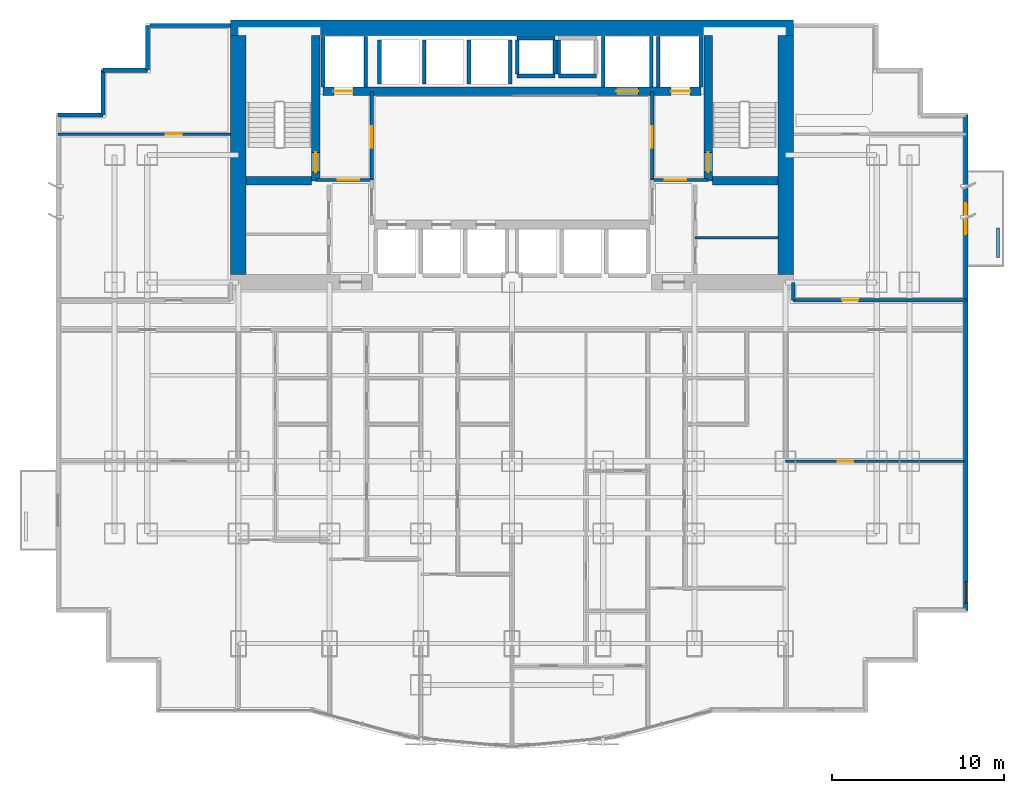
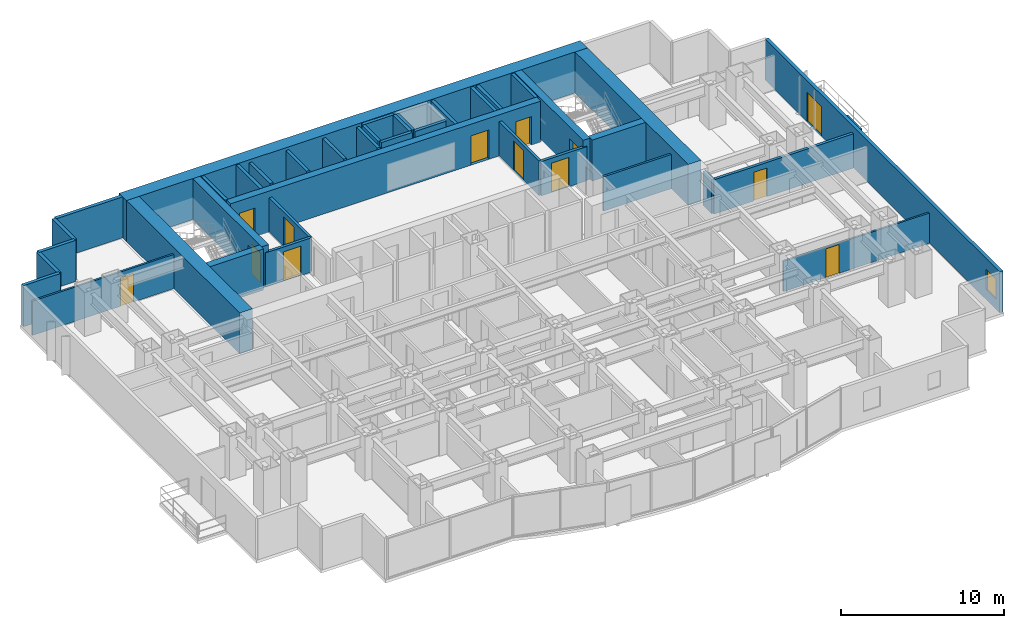
# One storey, part 7 of 10: 40 walls, 13 doors, 1 window, 14 openings.
"""IFC4 building model written with IfcOpenShell, lengths in metres."""

import ifcopenshell
import ifcopenshell.guid

model = None  # the IFC model being written
_history = None  # IfcOwnerHistory: only IFC2X3 demands one
_inside = {}  # id of a spatial element -> (the spatial element, [elements in it])
_under = {}  # id of a project, library or spatial element -> (it, [spatial elements below it])
_declared = {}  # id of a project -> (the project, [libraries it declares])
_typed = {}  # id of a type object -> (the type object, [elements of that type])
_made_of = {}  # id of a material, layer set ... -> (it, [elements and type objects made of it])


def new_model(schema):
    """Start an empty IFC model of exactly this schema.

    Asked for "IFC4X3", IfcOpenShell would pick the latest addendum, in which some entities
    have other attributes; the version numbers below select the first issue.
    IFC2X3 requires an IfcOwnerHistory on every rooted entity: one is made here for all.
    """
    global model, _history
    if schema == "IFC4X3":
        model = ifcopenshell.file(schema_version=(4, 3, 0, 0))
    else:
        model = ifcopenshell.file(schema=schema)
    _inside.clear()
    _under.clear()
    _declared.clear()
    _typed.clear()
    _made_of.clear()
    _history = None
    if model.schema == "IFC2X3":
        org = make("IfcOrganization", Name="unknown")
        user = make(
            "IfcPersonAndOrganization",
            ThePerson=make("IfcPerson", FamilyName="unknown"),
            TheOrganization=org,
        )
        app = make(
            "IfcApplication",
            ApplicationDeveloper=org,
            Version="unknown",
            ApplicationFullName="unknown",
            ApplicationIdentifier="unknown",
        )
        _history = make(
            "IfcOwnerHistory",
            OwningUser=user,
            OwningApplication=app,
            ChangeAction="ADDED",
            CreationDate=0,
        )
    return model


def make(cls, **values):
    """One entity of the class cls with the attributes given. An attribute that is None is left unset."""
    return model.create_entity(
        cls, **{name: value for name, value in values.items() if value is not None}
    )


def rooted(cls, **values):
    """An entity with a GlobalId (a new one), such as an element, a storey or a relation."""
    return make(cls, GlobalId=ifcopenshell.guid.new(), OwnerHistory=_history, **values)


def si_unit(unit_type, name, prefix=None):
    """IfcSIUnit, for example si_unit("LENGTHUNIT", "METRE", prefix="MILLI")."""
    return make("IfcSIUnit", UnitType=unit_type, Prefix=prefix, Name=name)


def assignment(units):
    """IfcUnitAssignment: the units of a project."""
    return None if units is None else make("IfcUnitAssignment", Units=units)


def point(xyz):
    """IfcCartesianPoint."""
    return None if xyz is None else make("IfcCartesianPoint", Coordinates=xyz)


def direction(xyz):
    """IfcDirection."""
    return None if xyz is None else make("IfcDirection", DirectionRatios=xyz)


def frame(location, z_axis=None, x_axis=None):
    """IfcAxis2Placement3D, a coordinate frame: its origin and axes. An axis left out is left unset."""
    return make(
        "IfcAxis2Placement3D",
        Location=point(location),
        Axis=direction(z_axis),
        RefDirection=direction(x_axis),
    )


def frame_2d(location, x_axis=None):
    """IfcAxis2Placement2D, a coordinate frame in the plane: its origin and x axis."""
    return make(
        "IfcAxis2Placement2D", Location=point(location), RefDirection=direction(x_axis)
    )


def origin():
    """The frame at (0, 0, 0) with its axes left unset."""
    return frame((0.0, 0.0, 0.0))


def place(relative_to, where):
    """IfcLocalPlacement: puts the frame where relative to a parent placement (None: the world)."""
    return make(
        "IfcLocalPlacement", PlacementRelTo=relative_to, RelativePlacement=where
    )


def context(
    kind, dimensions, precision=None, world=None, true_north=None, identifier=None
):
    """IfcGeometricRepresentationContext, for example the 3D "Model" context."""
    return make(
        "IfcGeometricRepresentationContext",
        ContextIdentifier=identifier,
        ContextType=kind,
        CoordinateSpaceDimension=dimensions,
        Precision=precision,
        WorldCoordinateSystem=world,
        TrueNorth=true_north,
    )


def subcontext(parent, identifier, kind, view, scale=None):
    """IfcGeometricRepresentationSubContext, for example "Body" below "Model"."""
    return make(
        "IfcGeometricRepresentationSubContext",
        ContextIdentifier=identifier,
        ContextType=kind,
        ParentContext=parent,
        TargetScale=scale,
        TargetView=view,
    )


def project(units=None, contexts=None):
    """IfcProject with its units and contexts."""
    return rooted(
        "IfcProject",
        Name="project",
        RepresentationContexts=contexts,
        UnitsInContext=assignment(units),
    )


def spatial(cls, under=None, at=None, **own):
    """A site, building, storey or space (cls), placed at a placement, below another one or the project."""
    s = rooted(cls, ObjectPlacement=at, **own)
    if under is not None:
        _under.setdefault(under.id(), (under, []))[1].append(s)
    return s


def profile(cls, at=None, kind="AREA", **sizes):
    """A parametric profile (cls). Its sizes go by their IFC names, for example OverallWidth=200.0."""
    return make(cls, ProfileType=kind, Position=at, **sizes)


def rectangle(**sizes):
    """IfcRectangleProfileDef."""
    return profile("IfcRectangleProfileDef", **sizes)


def extrude(swept, where, along, depth):
    """IfcExtrudedAreaSolid: the profile swept, set in the frame where, extruded along a direction by depth."""
    return make(
        "IfcExtrudedAreaSolid",
        SweptArea=swept,
        Position=where,
        ExtrudedDirection=direction(along),
        Depth=depth,
    )


def shape(context_of_items, identifier, shape_type, items):
    """IfcShapeRepresentation: the items that make up one representation, for example the "Body"."""
    return make(
        "IfcShapeRepresentation",
        ContextOfItems=context_of_items,
        RepresentationIdentifier=identifier,
        RepresentationType=shape_type,
        Items=items,
    )


def material(Name=None, Category=None):
    """IfcMaterial."""
    return make("IfcMaterial", Name=Name, Category=Category)


def layer(
    of_material, thickness, ventilated=None, Name=None, Category=None, Priority=None
):
    """IfcMaterialLayer: one layer of a wall or slab, of a material (None: an air gap)."""
    return make(
        "IfcMaterialLayer",
        Material=of_material,
        LayerThickness=thickness,
        IsVentilated=ventilated,
        Name=Name,
        Category=Category,
        Priority=Priority,
    )


def layer_set(layers, Name=None):
    """IfcMaterialLayerSet."""
    return make("IfcMaterialLayerSet", MaterialLayers=layers, LayerSetName=Name)


def made_of(thing, what):
    """Note that an element or type object is made of a material, layer set ...; save() writes the relation."""
    if what is not None:
        _made_of.setdefault(what.id(), (what, []))[1].append(thing)
    return thing


def type_object(cls, material=None, **own):
    """A type object (cls), such as IfcWallType, which elements share."""
    return made_of(rooted(cls, **own), material)


def element(
    cls,
    number,
    at=None,
    inside=None,
    cuts=None,
    type_object=None,
    material=None,
    context=None,
    identifier="Body",
    shape_type=None,
    held_by="IfcProductDefinitionShape",
    body=None,
    shapes=None,
    **own,
):
    """One element of the class cls, such as IfcWall. Its Tag is "e" and its number.

    at: its placement. inside: the storey or other place that contains it. cuts: it is an
    opening in that element (IfcRelVoidsElement). A single representation is given by context,
    identifier, shape_type and body (its items); several are given by shapes. held_by: the class
    of the entity that holds the representations. save() writes the other relations.
    """
    e = rooted(cls, Tag="e%d" % number, ObjectPlacement=at, **own)
    if body is not None:
        shapes = [shape(context, identifier, shape_type, body)]
    if shapes is not None:
        e.Representation = make(held_by, Representations=shapes)
    if inside is not None:
        _inside.setdefault(inside.id(), (inside, []))[1].append(e)
    if cuts is not None:
        rooted(
            "IfcRelVoidsElement", RelatingBuildingElement=cuts, RelatedOpeningElement=e
        )
    if type_object is not None:
        _typed.setdefault(type_object.id(), (type_object, []))[1].append(e)
    return made_of(e, material)


def fill(opening, filler):
    """IfcRelFillsElement: the door or window that sits in an opening."""
    return rooted(
        "IfcRelFillsElement",
        RelatingOpeningElement=opening,
        RelatedBuildingElement=filler,
    )


def aggregate(whole, parts):
    """IfcRelAggregates: a whole, such as a stair, and the parts it consists of."""
    return rooted("IfcRelAggregates", RelatingObject=whole, RelatedObjects=parts)


def save(model, path):
    """Write the relations noted so far, then the file.

    IfcRelAggregates (storeys below a building ...), IfcRelContainedInSpatialStructure (elements
    in a storey), IfcRelDefinesByType, IfcRelAssociatesMaterial and IfcRelDeclares: one each for
    every whole, place, type object, material and project.
    """
    for whole, parts in _under.values():
        aggregate(whole, parts)
    for where, things in _inside.values():
        rooted(
            "IfcRelContainedInSpatialStructure",
            RelatedElements=things,
            RelatingStructure=where,
        )
    for kind, things in _typed.values():
        rooted("IfcRelDefinesByType", RelatedObjects=things, RelatingType=kind)
    for what, things in _made_of.values():
        rooted("IfcRelAssociatesMaterial", RelatedObjects=things, RelatingMaterial=what)
    for by, libraries in _declared.values():
        rooted("IfcRelDeclares", RelatingContext=by, RelatedDefinitions=libraries)
    model.write(path)


model = new_model("IFC4")

# Units and contexts
model_context = context("Model", 3, precision=1e-05, world=origin(), true_north=direction((0.0, 1.0)))
body_context = subcontext(model_context, "Body", "Model", "MODEL_VIEW")
ifc_project = project(units=[si_unit("LENGTHUNIT", "METRE"), si_unit("AREAUNIT", "SQUARE_METRE"), si_unit("VOLUMEUNIT", "CUBIC_METRE"), si_unit("PLANEANGLEUNIT", "RADIAN"), si_unit("MASSUNIT", "GRAM", prefix="KILO")], contexts=[model_context])

# Site, building, storey
site_placement = place(None, origin())
site = spatial("IfcSite", under=ifc_project, at=site_placement, CompositionType="ELEMENT")
building_placement = place(site_placement, origin())
building = spatial("IfcBuilding", under=site, at=building_placement, Name="Qianlan Lanfeng Residences", CompositionType="ELEMENT")
storey_placement = place(building_placement, frame((0.0, 0.0, 40.699951171875)))
storey = spatial("IfcBuildingStorey", under=building, at=storey_placement, Name="L10", CompositionType="ELEMENT", Elevation=40.699951171875)

# Wall, opening, door
ifc_material_1 = material(Name="Concrete C70", Category="concrete")
ifc_layer_1 = layer(ifc_material_1, 0.5)
ifc_layer_set_1 = layer_set([ifc_layer_1], Name="Concrete C70")
wall_type_1 = type_object("IfcWallType", Name="CW-RC-500", PredefinedType="SHEAR", material=ifc_layer_set_1)
wall_1_placement = place(storey_placement, frame((15.10009765625, 31.10009765625, 0.0), z_axis=(0.0, 0.0, 1.0), x_axis=(0.0, 1.0, 0.0)))
wall_1 = element("IfcWall", 1, at=wall_1_placement, inside=storey, type_object=wall_type_1, Name="L10 Core Shear Wall ST1E", PredefinedType="SHEAR", context=body_context, shape_type="SweptSolid", body=[
    extrude(rectangle(XDim=8.449951171875, YDim=0.5, at=frame_2d((4.22509765625, 0.0))), origin(), (0.0, 0.0, 1.0), 3.080078125),
])
opening_1_placement = place(wall_1_placement, frame((0.510009765625, 0.0, 0.0)))
opening_1 = element("IfcOpeningElement", 2, at=opening_1_placement, cuts=wall_1, Name="Opening L10-D07", PredefinedType="OPENING", context=body_context, shape_type="SweptSolid", body=[
    extrude(rectangle(XDim=1.14990234375, YDim=2.199951171875, at=frame_2d((0.574951171875, 1.10009765625))), frame((0.0, 0.260009765625, 0.0), z_axis=(0.0, -1.0, 0.0), x_axis=(1.0, 0.0, 0.0)), (0.0, 0.0, 1.0), 0.52001953125),
])
ifc_material_2 = material(Name="Painted Galvanised Steel Fire Door", Category="steel")
door_type_1 = type_object("IfcDoorType", Name="DT-ST1", OperationType="NOTDEFINED", PredefinedType="DOOR", material=ifc_material_2)
door_1_placement = place(opening_1_placement, frame((1.14990234375, 0.0, 0.0), z_axis=(0.0, 0.0, 1.0), x_axis=(-1.0, 0.0, 0.0)))
door_1 = element("IfcDoor", 3, at=door_1_placement, inside=storey, type_object=door_type_1, Name="L10 Exit Stair ST-1 Door L10-D07 (DT-ST1)", OperationType="SINGLE_SWING_RIGHT", OverallHeight=2.199951171875, OverallWidth=1.14990234375, PredefinedType="DOOR", context=body_context, shape_type="SweptSolid", body=[
    extrude(rectangle(XDim=1.14990234375, YDim=2.199951171875, at=frame_2d((0.574951171875, 1.10009765625))), frame((0.0, 0.02490234375, 0.0), z_axis=(0.0, -1.0, 0.0), x_axis=(1.0, 0.0, 0.0)), (0.0, 0.0, 1.0), 0.050048828125),
])
fill(opening_1, door_1)

# Wall
wall_2_placement = place(storey_placement, frame((11.050048828125, 31.10009765625, 0.0), z_axis=(0.0, 0.0, 1.0), x_axis=(1.0, 0.0, 0.0)))
element("IfcWall", 4, at=wall_2_placement, inside=storey, type_object=wall_type_1, Name="L10 Core Shear Wall ST1S", PredefinedType="SHEAR", context=body_context, shape_type="SweptSolid", body=[
    extrude(rectangle(XDim=3.800048828125, YDim=0.5, at=frame_2d((1.89990234375, 0.0))), origin(), (0.0, 0.0, 1.0), 3.080078125),
])

# Wall, opening, door
wall_3_placement = place(storey_placement, frame((37.89990234375, 31.10009765625, 0.0), z_axis=(0.0, 0.0, 1.0), x_axis=(0.0, 1.0, 0.0)))
wall_3 = element("IfcWall", 5, at=wall_3_placement, inside=storey, type_object=wall_type_1, Name="L10 Core Shear Wall ST2W", PredefinedType="SHEAR", context=body_context, shape_type="SweptSolid", body=[
    extrude(rectangle(XDim=8.449951171875, YDim=0.5, at=frame_2d((4.22509765625, 0.0))), origin(), (0.0, 0.0, 1.0), 3.080078125),
])
opening_2_placement = place(wall_3_placement, frame((0.510009765625, 0.0, 0.0)))
opening_2 = element("IfcOpeningElement", 6, at=opening_2_placement, cuts=wall_3, Name="Opening L10-D08", PredefinedType="OPENING", context=body_context, shape_type="SweptSolid", body=[
    extrude(rectangle(XDim=1.14990234375, YDim=2.199951171875, at=frame_2d((0.574951171875, 1.10009765625))), frame((0.0, 0.260009765625, 0.0), z_axis=(0.0, -1.0, 0.0), x_axis=(1.0, 0.0, 0.0)), (0.0, 0.0, 1.0), 0.52001953125),
])
door_2_placement = place(opening_2_placement, origin())
door_2 = element("IfcDoor", 7, at=door_2_placement, inside=storey, type_object=door_type_1, Name="L10 Exit Stair ST-2 Door L10-D08 (DT-ST1)", OperationType="SINGLE_SWING_RIGHT", OverallHeight=2.199951171875, OverallWidth=1.14990234375, PredefinedType="DOOR", context=body_context, shape_type="SweptSolid", body=[
    extrude(rectangle(XDim=1.14990234375, YDim=2.199951171875, at=frame_2d((0.574951171875, 1.10009765625))), frame((0.0, 0.02490234375, 0.0), z_axis=(0.0, -1.0, 0.0), x_axis=(1.0, 0.0, 0.0)), (0.0, 0.0, 1.0), 0.050048828125),
])
fill(opening_2, door_2)

# Wall
wall_4_placement = place(storey_placement, frame((38.14990234375, 31.10009765625, 0.0), z_axis=(0.0, 0.0, 1.0), x_axis=(1.0, 0.0, 0.0)))
element("IfcWall", 8, at=wall_4_placement, inside=storey, type_object=wall_type_1, Name="L10 Core Shear Wall ST2S", PredefinedType="SHEAR", context=body_context, shape_type="SweptSolid", body=[
    extrude(rectangle(XDim=3.800048828125, YDim=0.5, at=frame_2d((1.89990234375, 0.0))), origin(), (0.0, 0.0, 1.0), 3.080078125),
])

# Wall, openings, doors
wall_5_placement = place(storey_placement, frame((15.5, 36.300048828125, 0.0), z_axis=(0.0, 0.0, 1.0), x_axis=(1.0, 0.0, 0.0)))
wall_5 = element("IfcWall", 9, at=wall_5_placement, inside=storey, type_object=wall_type_1, Name="L10 Core Shear Wall LBN", PredefinedType="SHEAR", context=body_context, shape_type="SweptSolid", body=[
    extrude(rectangle(XDim=22.0, YDim=0.5, at=frame_2d((11.0, 0.0))), origin(), (0.0, 0.0, 1.0), 3.080078125),
])
opening_3_placement = place(wall_5_placement, frame((0.64990234375, 0.0, 0.0)))
opening_3 = element("IfcOpeningElement", 10, at=opening_3_placement, cuts=wall_5, Name="Opening L10-LD-FFL-1", PredefinedType="OPENING", context=body_context, shape_type="SweptSolid", body=[
    extrude(rectangle(XDim=1.10009765625, YDim=2.14990234375, at=frame_2d((0.550048828125, 1.074951171875))), frame((0.0, 0.260009765625, 0.0), z_axis=(0.0, -1.0, 0.0), x_axis=(1.0, 0.0, 0.0)), (0.0, 0.0, 1.0), 0.52001953125),
])
opening_4_placement = place(wall_5_placement, frame((20.25, 0.0, 0.0)))
opening_4 = element("IfcOpeningElement", 11, at=opening_4_placement, cuts=wall_5, Name="Opening L10-LD-FFL-2", PredefinedType="OPENING", context=body_context, shape_type="SweptSolid", body=[
    extrude(rectangle(XDim=1.10009765625, YDim=2.14990234375, at=frame_2d((0.550048828125, 1.074951171875))), frame((0.0, 0.260009765625, 0.0), z_axis=(0.0, -1.0, 0.0), x_axis=(1.0, 0.0, 0.0)), (0.0, 0.0, 1.0), 0.52001953125),
])
opening_5_placement = place(wall_5_placement, frame((17.050048828125, 0.0, 0.0)))
opening_5 = element("IfcOpeningElement", 12, at=opening_5_placement, cuts=wall_5, Name="Opening L10-LD-SVL-1", PredefinedType="OPENING", context=body_context, shape_type="SweptSolid", body=[
    extrude(rectangle(XDim=1.300048828125, YDim=2.199951171875, at=frame_2d((0.64990234375, 1.10009765625))), frame((0.0, 0.260009765625, 0.0), z_axis=(0.0, -1.0, 0.0), x_axis=(1.0, 0.0, 0.0)), (0.0, 0.0, 1.0), 0.52001953125),
])
ifc_material_3 = material(Name="Brushed Stainless Steel Sliding Lift Door", Category="steel")
door_type_2 = type_object("IfcDoorType", Name="LD-01", OperationType="NOTDEFINED", PredefinedType="DOOR", material=ifc_material_3)
door_3_placement = place(opening_3_placement, frame((1.10009765625, 0.0, 0.0), z_axis=(0.0, 0.0, 1.0), x_axis=(-1.0, 0.0, 0.0)))
door_3 = element("IfcDoor", 13, at=door_3_placement, inside=storey, type_object=door_type_2, Name="L10 Elevator FFL-1 Sliding Landing Door", OperationType="DOUBLE_DOOR_SLIDING", OverallHeight=2.14990234375, OverallWidth=1.10009765625, PredefinedType="DOOR", context=body_context, shape_type="SweptSolid", body=[
    extrude(rectangle(XDim=1.10009765625, YDim=2.14990234375, at=frame_2d((0.550048828125, 1.074951171875))), frame((0.0, 0.02490234375, 0.0), z_axis=(0.0, -1.0, 0.0), x_axis=(1.0, 0.0, 0.0)), (0.0, 0.0, 1.0), 0.050048828125),
])
fill(opening_3, door_3)
door_4_placement = place(opening_4_placement, frame((1.10009765625, 0.0, 0.0), z_axis=(0.0, 0.0, 1.0), x_axis=(-1.0, 0.0, 0.0)))
door_4 = element("IfcDoor", 14, at=door_4_placement, inside=storey, type_object=door_type_2, Name="L10 Elevator FFL-2 Sliding Landing Door", OperationType="DOUBLE_DOOR_SLIDING", OverallHeight=2.14990234375, OverallWidth=1.10009765625, PredefinedType="DOOR", context=body_context, shape_type="SweptSolid", body=[
    extrude(rectangle(XDim=1.10009765625, YDim=2.14990234375, at=frame_2d((0.550048828125, 1.074951171875))), frame((0.0, 0.02490234375, 0.0), z_axis=(0.0, -1.0, 0.0), x_axis=(1.0, 0.0, 0.0)), (0.0, 0.0, 1.0), 0.050048828125),
])
fill(opening_4, door_4)
door_type_3 = type_object("IfcDoorType", Name="LD-02", OperationType="NOTDEFINED", PredefinedType="DOOR", material=ifc_material_3)
door_5_placement = place(opening_5_placement, frame((1.300048828125, 0.0, 0.0), z_axis=(0.0, 0.0, 1.0), x_axis=(-1.0, 0.0, 0.0)))
door_5 = element("IfcDoor", 15, at=door_5_placement, inside=storey, type_object=door_type_3, Name="L10 Elevator SVL-1 Sliding Landing Door", OperationType="DOUBLE_DOOR_SLIDING", OverallHeight=2.199951171875, OverallWidth=1.300048828125, PredefinedType="DOOR", context=body_context, shape_type="SweptSolid", body=[
    extrude(rectangle(XDim=1.300048828125, YDim=2.199951171875, at=frame_2d((0.64990234375, 1.10009765625))), frame((0.0, 0.02490234375, 0.0), z_axis=(0.0, -1.0, 0.0), x_axis=(1.0, 0.0, 0.0)), (0.0, 0.0, 1.0), 0.050048828125),
])
fill(opening_5, door_5)

# Walls
ifc_layer_2 = layer(ifc_material_1, 0.89990234375)
ifc_layer_set_2 = layer_set([ifc_layer_2], Name="Concrete C70")
wall_type_2 = type_object("IfcWallType", Name="CW-RC-900", PredefinedType="SHEAR", material=ifc_layer_set_2)
wall_6_placement = place(storey_placement, frame((10.14990234375, 40.0, 0.0), z_axis=(0.0, 0.0, 1.0), x_axis=(1.0, 0.0, 0.0)))
element("IfcWall", 16, at=wall_6_placement, inside=storey, type_object=wall_type_2, Name="L10 Core Shear Wall N", PredefinedType="SHEAR", context=body_context, shape_type="SweptSolid", body=[
    extrude(rectangle(XDim=32.7001953125, YDim=0.89990234375, at=frame_2d((16.35009765625, 0.0))), origin(), (0.0, 0.0, 1.0), 3.080078125),
])
for number, where, z_axis, x_axis, name in (
    (17, (10.60009765625, 25.64990234375, 0.0), (0.0, 0.0, 1.0), (0.0, 1.0, 0.0), "L10 Core Shear Wall W"),
    (18, (42.39990234375, 25.64990234375, 0.0), (0.0, 0.0, 1.0), (0.0, 1.0, 0.0), "L10 Core Shear Wall E"),
):
    element("IfcWall", number, at=place(storey_placement, frame(where, z_axis=z_axis, x_axis=x_axis)), inside=storey, type_object=wall_type_2, Name=name, PredefinedType="SHEAR", context=body_context, shape_type="SweptSolid", body=[
        extrude(rectangle(XDim=13.900146484375, YDim=0.89990234375, at=frame_2d((6.9501953125, 0.0))), origin(), (0.0, 0.0, 1.0), 3.080078125),
    ])

# Wall, openings, door, window
ifc_material_4 = material(Name="Concrete C42", Category="concrete")
ifc_layer_3 = layer(ifc_material_4, 0.239990234375)
ifc_layer_set_3 = layer_set([ifc_layer_3], Name="Concrete C42")
wall_type_3 = type_object("IfcWallType", Name="EW-240", PredefinedType="SOLIDWALL", material=ifc_layer_set_3)
wall_7_placement = place(storey_placement, frame((52.8798828125, 6.1201171875, 0.0), z_axis=(0.0, 0.0, 1.0), x_axis=(0.0, 1.0, 0.0)))
wall_7 = element("IfcWall", 19, at=wall_7_placement, inside=storey, type_object=wall_type_3, Name="L10 Terrace/Balcony Access Exterior Wall 10", PredefinedType="SOLIDWALL", context=body_context, shape_type="SweptSolid", body=[
    extrude(rectangle(XDim=28.809814453125, YDim=0.239990234375, at=frame_2d((14.40478515625, 0.0))), origin(), (0.0, 0.0, 1.0), 3.080078125),
])
opening_6_placement = place(wall_7_placement, frame((21.8798828125, 0.0, 0.0)))
opening_6 = element("IfcOpeningElement", 20, at=opening_6_placement, cuts=wall_7, Name="Opening L10-D-EB-N", PredefinedType="OPENING", context=body_context, shape_type="SweptSolid", body=[
    extrude(rectangle(XDim=1.800048828125, YDim=2.199951171875, at=frame_2d((0.89990234375, 1.10009765625))), frame((0.0, 0.1298828125, 0.0), z_axis=(0.0, -1.0, 0.0), x_axis=(1.0, 0.0, 0.0)), (0.0, 0.0, 1.0), 0.260009765625),
])
opening_7_placement = place(wall_7_placement, frame((0.449951171875, 0.0, 0.75)))
opening_7 = element("IfcOpeningElement", 21, at=opening_7_placement, cuts=wall_7, Name="Opening W-03", PredefinedType="OPENING", context=body_context, shape_type="SweptSolid", body=[
    extrude(rectangle(XDim=1.199951171875, YDim=1.5, at=frame_2d((0.60009765625, 0.75))), frame((0.0, 0.1298828125, 0.0), z_axis=(0.0, -1.0, 0.0), x_axis=(1.0, 0.0, 0.0)), (0.0, 0.0, 1.0), 0.260009765625),
])
ifc_material_5 = material(Name="Anodised Bronze Aluminium Framed Glass", Category="aluminium")
door_type_4 = type_object("IfcDoorType", Name="DT-BAL1", OperationType="NOTDEFINED", PredefinedType="DOOR", material=ifc_material_5)
door_6_placement = place(opening_6_placement, frame((1.800048828125, 0.0, 0.0), z_axis=(0.0, 0.0, 1.0), x_axis=(-1.0, 0.0, 0.0)))
door_6 = element("IfcDoor", 22, at=door_6_placement, inside=storey, type_object=door_type_4, Name="L10 Exterior Access Door EB-N", OperationType="DOUBLE_DOOR_SLIDING", OverallHeight=2.199951171875, OverallWidth=1.800048828125, PredefinedType="DOOR", context=body_context, shape_type="SweptSolid", body=[
    extrude(rectangle(XDim=1.800048828125, YDim=2.199951171875, at=frame_2d((0.89990234375, 1.10009765625))), frame((0.0, 0.02490234375, 0.0), z_axis=(0.0, -1.0, 0.0), x_axis=(1.0, 0.0, 0.0)), (0.0, 0.0, 1.0), 0.050048828125),
])
fill(opening_6, door_6)
ifc_material_6 = material(Name="Anodised Bronze Aluminium Framed Double Glazing", Category="aluminium")
window_type = type_object("IfcWindowType", Name="W-03", PartitioningType="SINGLE_PANEL", PredefinedType="WINDOW", material=ifc_material_6)
window_placement = place(opening_7_placement, origin())
window = element("IfcWindow", 23, at=window_placement, inside=storey, type_object=window_type, Name="L10 Exterior Window W-03", OverallHeight=1.5, OverallWidth=1.199951171875, PartitioningType="SINGLE_PANEL", PredefinedType="WINDOW", context=body_context, shape_type="SweptSolid", body=[
    extrude(rectangle(XDim=1.199951171875, YDim=1.5, at=frame_2d((0.60009765625, 0.75))), frame((0.0, 0.030029296875, 0.0), z_axis=(0.0, -1.0, 0.0), x_axis=(1.0, 0.0, 0.0)), (0.0, 0.0, 1.0), 0.06005859375),
])
fill(opening_7, window)

# Walls
wall_8_placement = place(storey_placement, frame((10.14990234375, 40.1298828125, 0.0), z_axis=(0.0, 0.0, 1.0), x_axis=(-1.0, 0.0, 0.0)))
element("IfcWall", 24, at=wall_8_placement, inside=storey, type_object=wall_type_3, Name="L10 North Wing Exterior Wall W", PredefinedType="SOLIDWALL", context=body_context, shape_type="SweptSolid", body=[
    extrude(rectangle(XDim=4.699951171875, YDim=0.239990234375, at=frame_2d((2.35009765625, 0.0))), origin(), (0.0, 0.0, 1.0), 3.080078125),
])
wall_9_placement = place(storey_placement, frame((5.320068359375, 40.1298828125, 0.0), z_axis=(0.0, 0.0, 1.0), x_axis=(0.0, -1.0, 0.0)))
element("IfcWall", 25, at=wall_9_placement, inside=storey, type_object=wall_type_3, Name="L10 Exterior Facade Spandrel Wall 17", PredefinedType="SOLIDWALL", context=body_context, shape_type="SweptSolid", body=[
    extrude(rectangle(XDim=2.599853515625, YDim=0.239990234375, at=frame_2d((1.2998046875, 0.0))), origin(), (0.0, 0.0, 1.0), 3.080078125),
])
for number, where, z_axis, x_axis, name in (
    (26, (5.320068359375, 37.530029296875, 0.0), (0.0, 0.0, 1.0), (-1.0, 0.0, 0.0), "L10 Exterior Facade Spandrel Wall 18"),
    (27, (2.719970703125, 37.530029296875, 0.0), (0.0, 0.0, 1.0), (0.0, -1.0, 0.0), "L10 Exterior Facade Spandrel Wall 19"),
):
    element("IfcWall", number, at=place(storey_placement, frame(where, z_axis=z_axis, x_axis=x_axis)), inside=storey, type_object=wall_type_3, Name=name, PredefinedType="SOLIDWALL", context=body_context, shape_type="SweptSolid", body=[
        extrude(rectangle(XDim=2.60009765625, YDim=0.239990234375, at=frame_2d((1.300048828125, 0.0))), origin(), (0.0, 0.0, 1.0), 3.080078125),
    ])
wall_10_placement = place(storey_placement, frame((2.719970703125, 34.929931640625, 0.0), z_axis=(0.0, 0.0, 1.0), x_axis=(-1.0, 0.0, 0.0)))
element("IfcWall", 28, at=wall_10_placement, inside=storey, type_object=wall_type_3, Name="L10 Exterior Facade Spandrel Wall 20", PredefinedType="SOLIDWALL", context=body_context, shape_type="SweptSolid", body=[
    extrude(rectangle(XDim=2.599853515625, YDim=0.239990234375, at=frame_2d((1.2998046875, 0.0))), origin(), (0.0, 0.0, 1.0), 3.080078125),
])
ifc_layer_4 = layer(ifc_material_4, 0.199951171875)
ifc_layer_set_4 = layer_set([ifc_layer_4], Name="Concrete C42")
wall_type_4 = type_object("IfcWallType", Name="PL-TREE-200", PredefinedType="PARAPET", material=ifc_layer_set_4)
wall_11_placement = place(storey_placement, frame((54.75, 26.64990234375, 0.0), z_axis=(0.0, 0.0, 1.0), x_axis=(0.0, 1.0, 0.0)))
element("IfcWall", 29, at=wall_11_placement, inside=storey, type_object=wall_type_4, Name="L10 East Tree Planter Curb EB-N", PredefinedType="PARAPET", context=body_context, shape_type="SweptSolid", body=[
    extrude(rectangle(XDim=1.7001953125, YDim=0.199951171875, at=frame_2d((0.85009765625, 0.0))), origin(), (0.0, 0.0, 1.0), 0.650146484375),
])

# Wall, opening, door
ifc_material_7 = material(Name="Moisture-Resistant Gypsum Partition 135 mm")
ifc_layer_5 = layer(ifc_material_7, 0.135009765625)
ifc_layer_set_5 = layer_set([ifc_layer_5], Name="Moisture-Resistant Gypsum Partition 135 mm")
wall_type_5 = type_object("IfcWallType", Name="PW-135", PredefinedType="PARTITIONING", material=ifc_layer_set_5)
wall_12_placement = place(storey_placement, frame((42.39990234375, 14.800048828125, 0.0), z_axis=(0.0, 0.0, 1.0), x_axis=(1.0, 0.0, 0.0)))
wall_12 = element("IfcWall", 30, at=wall_12_placement, inside=storey, type_object=wall_type_5, Name="L10 SEP Mid Partition", PredefinedType="PARTITIONING", context=body_context, shape_type="SweptSolid", body=[
    extrude(rectangle(XDim=10.380126953125, YDim=0.135009765625, at=frame_2d((5.18994140625, 0.0))), origin(), (0.0, 0.0, 1.0), 2.275146484375),
])
opening_8_placement = place(wall_12_placement, frame((3.030029296875, 0.0, 0.0)))
opening_8 = element("IfcOpeningElement", 31, at=opening_8_placement, cuts=wall_12, Name="Opening L10-D42", PredefinedType="OPENING", context=body_context, shape_type="SweptSolid", body=[
    extrude(rectangle(XDim=0.919921875, YDim=2.14990234375, at=frame_2d((0.4599609375, 1.074951171875))), frame((0.0, 0.07763671875, 0.0), z_axis=(0.0, -1.0, 0.0), x_axis=(1.0, 0.0, 0.0)), (0.0, 0.0, 1.0), 0.155029296875),
])
ifc_material_8 = material(Name="Glazed Timber Kitchen/Study Door", Category="wood")
door_type_5 = type_object("IfcDoorType", Name="DT-INT", OperationType="NOTDEFINED", PredefinedType="DOOR", material=ifc_material_8)
door_7_placement = place(opening_8_placement, origin())
door_7 = element("IfcDoor", 32, at=door_7_placement, inside=storey, type_object=door_type_5, Name="L10 SEP Inner Door L10-D42 (DT-INT)", OperationType="SINGLE_SWING_LEFT", OverallHeight=2.14990234375, OverallWidth=0.919921875, PredefinedType="DOOR", context=body_context, shape_type="SweptSolid", body=[
    extrude(rectangle(XDim=0.919921875, YDim=2.14990234375, at=frame_2d((0.4599609375, 1.074951171875))), frame((0.0, 0.02490234375, 0.0), z_axis=(0.0, -1.0, 0.0), x_axis=(1.0, 0.0, 0.0)), (0.0, 0.0, 1.0), 0.050048828125),
])
fill(opening_8, door_7)

wall_13_placement = place(storey_placement, frame((0.1201171875, 33.800048828125, 0.0), z_axis=(0.0, 0.0, 1.0), x_axis=(1.0, 0.0, 0.0)))
wall_13 = element("IfcWall", 33, at=wall_13_placement, inside=storey, type_object=wall_type_5, Name="L10 WW North Wing Wall", PredefinedType="PARTITIONING", context=body_context, shape_type="SweptSolid", body=[
    extrude(rectangle(XDim=10.02978515625, YDim=0.135009765625, at=frame_2d((5.014892578125, 0.0))), origin(), (0.0, 0.0, 1.0), 2.570068359375),
])
opening_9_placement = place(wall_13_placement, frame((6.2548828125, 0.0, 0.0)))
opening_9 = element("IfcOpeningElement", 34, at=opening_9_placement, cuts=wall_13, Name="Opening L10-D44", PredefinedType="OPENING", context=body_context, shape_type="SweptSolid", body=[
    extrude(rectangle(XDim=0.919921875, YDim=2.14990234375, at=frame_2d((0.4599609375, 1.074951171875))), frame((0.0, 0.07763671875, 0.0), z_axis=(0.0, -1.0, 0.0), x_axis=(1.0, 0.0, 0.0)), (0.0, 0.0, 1.0), 0.155029296875),
])
door_8_placement = place(opening_9_placement, origin())
door_8 = element("IfcDoor", 35, at=door_8_placement, inside=storey, type_object=door_type_5, Name="L10 WW Inner Salon Door L10-D44 (DT-INT)", OperationType="SINGLE_SWING_LEFT", OverallHeight=2.14990234375, OverallWidth=0.919921875, PredefinedType="DOOR", context=body_context, shape_type="SweptSolid", body=[
    extrude(rectangle(XDim=0.919921875, YDim=2.14990234375, at=frame_2d((0.4599609375, 1.074951171875))), frame((0.0, 0.02490234375, 0.0), z_axis=(0.0, -1.0, 0.0), x_axis=(1.0, 0.0, 0.0)), (0.0, 0.0, 1.0), 0.050048828125),
])
fill(opening_9, door_8)

# Wall
ifc_material_9 = material(Name="Acoustic Drywall Partition 150 mm")
ifc_layer_6 = layer(ifc_material_9, 0.14990234375)
ifc_layer_set_6 = layer_set([ifc_layer_6], Name="Acoustic Drywall Partition 150 mm")
wall_type_6 = type_object("IfcWallType", Name="PW-150", PredefinedType="PARTITIONING", material=ifc_layer_set_6)
wall_14_placement = place(storey_placement, frame((37.14990234375, 27.800048828125, 0.0), z_axis=(0.0, 0.0, 1.0), x_axis=(1.0, 0.0, 0.0)))
element("IfcWall", 36, at=wall_14_placement, inside=storey, type_object=wall_type_6, Name="L10 Core East Split", PredefinedType="PARTITIONING", context=body_context, shape_type="SweptSolid", body=[
    extrude(rectangle(XDim=4.800048828125, YDim=0.14990234375, at=frame_2d((2.39990234375, 0.0))), origin(), (0.0, 0.0, 1.0), 2.570068359375),
])

# Wall, opening, door
ifc_material_10 = material(Name="Autoclaved Aerated Concrete Blockwork 200 mm", Category="masonry")
ifc_layer_7 = layer(ifc_material_10, 0.199951171875)
ifc_layer_set_7 = layer_set([ifc_layer_7], Name="Autoclaved Aerated Concrete Blockwork 200 mm")
wall_type_7 = type_object("IfcWallType", Name="PW-200", PredefinedType="PARTITIONING", material=ifc_layer_set_7)
wall_15_placement = place(storey_placement, frame((15.10009765625, 31.14990234375, 0.0), z_axis=(0.0, 0.0, 1.0), x_axis=(1.0, 0.0, 0.0)))
wall_15 = element("IfcWall", 37, at=wall_15_placement, inside=storey, type_object=wall_type_7, Name="L10 Firefighting Lobby 1 South Wall", PredefinedType="PARTITIONING", context=body_context, shape_type="SweptSolid", body=[
    extrude(rectangle(XDim=3.25, YDim=0.199951171875, at=frame_2d((1.625, 0.0))), origin(), (0.0, 0.0, 1.0), 2.570068359375),
])
opening_10_placement = place(wall_15_placement, frame((1.27490234375, 0.0, 0.0)))
opening_10 = element("IfcOpeningElement", 38, at=opening_10_placement, cuts=wall_15, Name="Opening L10-D03", PredefinedType="OPENING", context=body_context, shape_type="SweptSolid", body=[
    extrude(rectangle(XDim=1.25, YDim=2.199951171875, at=frame_2d((0.625, 1.10009765625))), frame((0.0, 0.10986328125, 0.0), z_axis=(0.0, -1.0, 0.0), x_axis=(1.0, 0.0, 0.0)), (0.0, 0.0, 1.0), 0.219970703125),
])
door_type_6 = type_object("IfcDoorType", Name="DT-FFL", OperationType="NOTDEFINED", PredefinedType="DOOR", material=ifc_material_2)
door_9_placement = place(opening_10_placement, origin())
door_9 = element("IfcDoor", 39, at=door_9_placement, inside=storey, type_object=door_type_6, Name="L10 Firefighting Lobby 1 Entry Door L10-D03 (DT-FFL)", OperationType="SINGLE_SWING_LEFT", OverallHeight=2.199951171875, OverallWidth=1.25, PredefinedType="DOOR", context=body_context, shape_type="SweptSolid", body=[
    extrude(rectangle(XDim=1.25, YDim=2.199951171875, at=frame_2d((0.625, 1.10009765625))), frame((0.0, 0.02490234375, 0.0), z_axis=(0.0, -1.0, 0.0), x_axis=(1.0, 0.0, 0.0)), (0.0, 0.0, 1.0), 0.050048828125),
])
fill(opening_10, door_9)

wall_16_placement = place(storey_placement, frame((18.35009765625, 31.14990234375, 0.0), z_axis=(0.0, 0.0, 1.0), x_axis=(0.0, 1.0, 0.0)))
wall_16 = element("IfcWall", 40, at=wall_16_placement, inside=storey, type_object=wall_type_7, Name="L10 Firefighting Lobby 1 East Wall", PredefinedType="PARTITIONING", context=body_context, shape_type="SweptSolid", body=[
    extrude(rectangle(XDim=5.150146484375, YDim=0.199951171875, at=frame_2d((2.5751953125, 0.0))), origin(), (0.0, 0.0, 1.0), 2.570068359375),
])
opening_11_placement = place(wall_16_placement, frame((1.875, 0.0, 0.0)))
opening_11 = element("IfcOpeningElement", 41, at=opening_11_placement, cuts=wall_16, Name="Opening L10-D04", PredefinedType="OPENING", context=body_context, shape_type="SweptSolid", body=[
    extrude(rectangle(XDim=1.25, YDim=2.199951171875, at=frame_2d((0.625, 1.10009765625))), frame((0.0, 0.10986328125, 0.0), z_axis=(0.0, -1.0, 0.0), x_axis=(1.0, 0.0, 0.0)), (0.0, 0.0, 1.0), 0.219970703125),
])
door_10_placement = place(opening_11_placement, origin())
door_10 = element("IfcDoor", 42, at=door_10_placement, inside=storey, type_object=door_type_6, Name="L10 Firefighting Lobby 1 Lift Lobby Door L10-D04 (DT-FFL)", OperationType="SINGLE_SWING_LEFT", OverallHeight=2.199951171875, OverallWidth=1.25, PredefinedType="DOOR", context=body_context, shape_type="SweptSolid", body=[
    extrude(rectangle(XDim=1.25, YDim=2.199951171875, at=frame_2d((0.625, 1.10009765625))), frame((0.0, 0.02490234375, 0.0), z_axis=(0.0, -1.0, 0.0), x_axis=(1.0, 0.0, 0.0)), (0.0, 0.0, 1.0), 0.050048828125),
])
fill(opening_11, door_10)

wall_17_placement = place(storey_placement, frame((34.64990234375, 31.14990234375, 0.0), z_axis=(0.0, 0.0, 1.0), x_axis=(1.0, 0.0, 0.0)))
wall_17 = element("IfcWall", 43, at=wall_17_placement, inside=storey, type_object=wall_type_7, Name="L10 Firefighting Lobby 2 South Wall", PredefinedType="PARTITIONING", context=body_context, shape_type="SweptSolid", body=[
    extrude(rectangle(XDim=3.25, YDim=0.199951171875, at=frame_2d((1.625, 0.0))), origin(), (0.0, 0.0, 1.0), 2.570068359375),
])
opening_12_placement = place(wall_17_placement, frame((0.72509765625, 0.0, 0.0)))
opening_12 = element("IfcOpeningElement", 44, at=opening_12_placement, cuts=wall_17, Name="Opening L10-D05", PredefinedType="OPENING", context=body_context, shape_type="SweptSolid", body=[
    extrude(rectangle(XDim=1.25, YDim=2.199951171875, at=frame_2d((0.625, 1.10009765625))), frame((0.0, 0.10986328125, 0.0), z_axis=(0.0, -1.0, 0.0), x_axis=(1.0, 0.0, 0.0)), (0.0, 0.0, 1.0), 0.219970703125),
])
door_11_placement = place(opening_12_placement, origin())
door_11 = element("IfcDoor", 45, at=door_11_placement, inside=storey, type_object=door_type_6, Name="L10 Firefighting Lobby 2 Entry Door L10-D05 (DT-FFL)", OperationType="SINGLE_SWING_RIGHT", OverallHeight=2.199951171875, OverallWidth=1.25, PredefinedType="DOOR", context=body_context, shape_type="SweptSolid", body=[
    extrude(rectangle(XDim=1.25, YDim=2.199951171875, at=frame_2d((0.625, 1.10009765625))), frame((0.0, 0.02490234375, 0.0), z_axis=(0.0, -1.0, 0.0), x_axis=(1.0, 0.0, 0.0)), (0.0, 0.0, 1.0), 0.050048828125),
])
fill(opening_12, door_11)

wall_18_placement = place(storey_placement, frame((34.64990234375, 31.14990234375, 0.0), z_axis=(0.0, 0.0, 1.0), x_axis=(0.0, 1.0, 0.0)))
wall_18 = element("IfcWall", 46, at=wall_18_placement, inside=storey, type_object=wall_type_7, Name="L10 Firefighting Lobby 2 West Wall", PredefinedType="PARTITIONING", context=body_context, shape_type="SweptSolid", body=[
    extrude(rectangle(XDim=5.150146484375, YDim=0.199951171875, at=frame_2d((2.5751953125, 0.0))), origin(), (0.0, 0.0, 1.0), 2.570068359375),
])
opening_13_placement = place(wall_18_placement, frame((1.875, 0.0, 0.0)))
opening_13 = element("IfcOpeningElement", 47, at=opening_13_placement, cuts=wall_18, Name="Opening L10-D06", PredefinedType="OPENING", context=body_context, shape_type="SweptSolid", body=[
    extrude(rectangle(XDim=1.25, YDim=2.199951171875, at=frame_2d((0.625, 1.10009765625))), frame((0.0, 0.10986328125, 0.0), z_axis=(0.0, -1.0, 0.0), x_axis=(1.0, 0.0, 0.0)), (0.0, 0.0, 1.0), 0.219970703125),
])
door_12_placement = place(opening_13_placement, origin())
door_12 = element("IfcDoor", 48, at=door_12_placement, inside=storey, type_object=door_type_6, Name="L10 Firefighting Lobby 2 Lift Lobby Door L10-D06 (DT-FFL)", OperationType="SINGLE_SWING_LEFT", OverallHeight=2.199951171875, OverallWidth=1.25, PredefinedType="DOOR", context=body_context, shape_type="SweptSolid", body=[
    extrude(rectangle(XDim=1.25, YDim=2.199951171875, at=frame_2d((0.625, 1.10009765625))), frame((0.0, 0.02490234375, 0.0), z_axis=(0.0, -1.0, 0.0), x_axis=(1.0, 0.0, 0.0)), (0.0, 0.0, 1.0), 0.050048828125),
])
fill(opening_13, door_12)

wall_19_placement = place(storey_placement, frame((42.85009765625, 24.14990234375, 0.0), z_axis=(0.0, 0.0, 1.0), x_axis=(1.0, 0.0, 0.0)))
wall_19 = element("IfcWall", 49, at=wall_19_placement, inside=storey, type_object=wall_type_7, Name="L10 Corridor NE Wall", PredefinedType="PARTITIONING", context=body_context, shape_type="SweptSolid", body=[
    extrude(rectangle(XDim=10.02978515625, YDim=0.199951171875, at=frame_2d((5.014892578125, 0.0))), origin(), (0.0, 0.0, 1.0), 2.570068359375),
])
opening_14_placement = place(wall_19_placement, frame((2.85498046875, 0.0, 0.0)))
opening_14 = element("IfcOpeningElement", 50, at=opening_14_placement, cuts=wall_19, Name="Opening L10-D47", PredefinedType="OPENING", context=body_context, shape_type="SweptSolid", body=[
    extrude(rectangle(XDim=0.919921875, YDim=2.14990234375, at=frame_2d((0.4599609375, 1.074951171875))), frame((0.0, 0.10986328125, 0.0), z_axis=(0.0, -1.0, 0.0), x_axis=(1.0, 0.0, 0.0)), (0.0, 0.0, 1.0), 0.219970703125),
])
door_13_placement = place(opening_14_placement, origin())
door_13 = element("IfcDoor", 51, at=door_13_placement, inside=storey, type_object=door_type_5, Name="L10 EW Amenity Salon Door L10-D47 (DT-INT)", OperationType="SINGLE_SWING_LEFT", OverallHeight=2.14990234375, OverallWidth=0.919921875, PredefinedType="DOOR", context=body_context, shape_type="SweptSolid", body=[
    extrude(rectangle(XDim=0.919921875, YDim=2.14990234375, at=frame_2d((0.4599609375, 1.074951171875))), frame((0.0, 0.02490234375, 0.0), z_axis=(0.0, -1.0, 0.0), x_axis=(1.0, 0.0, 0.0)), (0.0, 0.0, 1.0), 0.050048828125),
])
fill(opening_14, door_13)

# Walls
wall_20_placement = place(storey_placement, frame((42.85009765625, 24.14990234375, 0.0), z_axis=(0.0, 0.0, 1.0), x_axis=(0.0, 1.0, 0.0)))
element("IfcWall", 52, at=wall_20_placement, inside=storey, type_object=wall_type_7, Name="L10 NE Wing Core Return Wall", PredefinedType="PARTITIONING", context=body_context, shape_type="SweptSolid", body=[
    extrude(rectangle(XDim=1.050048828125, YDim=0.199951171875, at=frame_2d((0.52490234375, 0.0))), origin(), (0.0, 0.0, 1.0), 2.570068359375),
])
ifc_material_11 = material(Name="Concrete C49", Category="concrete")
ifc_layer_8 = layer(ifc_material_11, 0.219970703125)
ifc_layer_set_8 = layer_set([ifc_layer_8], Name="Concrete C49")
wall_type_8 = type_object("IfcWallType", Name="SHW-220", PredefinedType="SOLIDWALL", material=ifc_layer_set_8)
for number, where, z_axis, x_axis, name in (
    (53, (15.52001953125, 36.550048828125, 0.0), (0.0, 0.0, 1.0), (0.0, 1.0, 0.0), "L10 Lift FFL-1 Shaft Wall W"),
    (54, (18.0, 36.550048828125, 0.0), (0.0, 0.0, 1.0), (0.0, 1.0, 0.0), "L10 Lift FFL-1 Shaft Wall E"),
    (55, (35.0, 36.550048828125, 0.0), (0.0, 0.0, 1.0), (0.0, 1.0, 0.0), "L10 Lift FFL-2 Shaft Wall W"),
    (56, (37.47998046875, 36.550048828125, 0.0), (0.0, 0.0, 1.0), (0.0, 1.0, 0.0), "L10 Lift FFL-2 Shaft Wall E"),
    (57, (31.800048828125, 36.550048828125, 0.0), (0.0, 0.0, 1.0), (0.0, 1.0, 0.0), "L10 Lift SVL-1 Shaft Wall W"),
    (58, (34.60009765625, 36.550048828125, 0.0), (0.0, 0.0, 1.0), (0.0, 1.0, 0.0), "L10 Lift SVL-1 Shaft Wall E"),
):
    element("IfcWall", number, at=place(storey_placement, frame(where, z_axis=z_axis, x_axis=x_axis)), inside=storey, type_object=wall_type_8, Name=name, PredefinedType="SOLIDWALL", context=body_context, shape_type="SweptSolid", body=[
        extrude(rectangle(XDim=2.929931640625, YDim=0.219970703125, at=frame_2d((1.46484375, 0.0))), origin(), (0.0, 0.0, 1.0), 3.080078125),
    ])
for number, where, z_axis, x_axis, name in (
    (59, (18.800048828125, 36.719970703125, 0.0), (0.0, 0.0, 1.0), (0.0, 1.0, 0.0), "L10 Lift PL-H1 Shaft Wall W"),
    (60, (21.39990234375, 36.719970703125, 0.0), (0.0, 0.0, 1.0), (0.0, 1.0, 0.0), "L10 Lift PL-H2 Shaft Wall W"),
    (61, (24.0, 36.719970703125, 0.0), (0.0, 0.0, 1.0), (0.0, 1.0, 0.0), "L10 Lift PL-H3 Shaft Wall W"),
    (62, (26.39990234375, 36.719970703125, 0.0), (0.0, 0.0, 1.0), (0.0, 1.0, 0.0), "L10 Lift PL-H3 Shaft Wall E"),
):
    element("IfcWall", number, at=place(storey_placement, frame(where, z_axis=z_axis, x_axis=x_axis)), inside=storey, type_object=wall_type_8, Name=name, PredefinedType="SOLIDWALL", context=body_context, shape_type="SweptSolid", body=[
        extrude(rectangle(XDim=2.56005859375, YDim=0.219970703125, at=frame_2d((1.280029296875, 0.0))), origin(), (0.0, 0.0, 1.0), 3.080078125),
    ])
for number, where, z_axis, x_axis, name in (
    (63, (26.800048828125, 37.31005859375, 0.0), (0.0, 0.0, 1.0), (0.0, 1.0, 0.0), "L10 MEP Riser MEP-R1 Shaft Wall W"),
    (64, (29.0, 37.31005859375, 0.0), (0.0, 0.0, 1.0), (0.0, 1.0, 0.0), "L10 MEP Riser MEP-R1 Shaft Wall E"),
):
    element("IfcWall", number, at=place(storey_placement, frame(where, z_axis=z_axis, x_axis=x_axis)), inside=storey, type_object=wall_type_8, Name=name, PredefinedType="SOLIDWALL", context=body_context, shape_type="SweptSolid", body=[
        extrude(rectangle(XDim=1.97998046875, YDim=0.219970703125, at=frame_2d((0.989990234375, 0.0))), origin(), (0.0, 0.0, 1.0), 3.080078125),
    ])
for number, where, z_axis, x_axis, name in (
    (65, (26.800048828125, 39.39990234375, 0.0), (0.0, 0.0, 1.0), (1.0, 0.0, 0.0), "L10 MEP Riser MEP-R1 Shaft Wall N"),
    (66, (26.800048828125, 37.199951171875, 0.0), (0.0, 0.0, 1.0), (1.0, 0.0, 0.0), "L10 MEP Riser MEP-R1 Shaft Wall S"),
):
    element("IfcWall", number, at=place(storey_placement, frame(where, z_axis=z_axis, x_axis=x_axis)), inside=storey, type_object=wall_type_8, Name=name, PredefinedType="SOLIDWALL", context=body_context, shape_type="SweptSolid", body=[
        extrude(rectangle(XDim=2.199951171875, YDim=0.219970703125, at=frame_2d((1.10009765625, 0.0))), origin(), (0.0, 0.0, 1.0), 3.080078125),
    ])
wall_21_placement = place(storey_placement, frame((29.199951171875, 37.31005859375, 0.0), z_axis=(0.0, 0.0, 1.0), x_axis=(0.0, 1.0, 0.0)))
element("IfcWall", 67, at=wall_21_placement, inside=storey, type_object=wall_type_8, Name="L10 MEP Riser MEP-R2 Shaft Wall W", PredefinedType="SOLIDWALL", context=body_context, shape_type="SweptSolid", body=[
    extrude(rectangle(XDim=1.97998046875, YDim=0.219970703125, at=frame_2d((0.989990234375, 0.0))), origin(), (0.0, 0.0, 1.0), 3.080078125),
])
wall_22_placement = place(storey_placement, frame((29.199951171875, 37.199951171875, 0.0), z_axis=(0.0, 0.0, 1.0), x_axis=(1.0, 0.0, 0.0)))
element("IfcWall", 68, at=wall_22_placement, inside=storey, type_object=wall_type_8, Name="L10 MEP Riser MEP-R2 Shaft Wall S", PredefinedType="SOLIDWALL", context=body_context, shape_type="SweptSolid", body=[
    extrude(rectangle(XDim=2.199951171875, YDim=0.219970703125, at=frame_2d((1.10009765625, 0.0))), origin(), (0.0, 0.0, 1.0), 3.080078125),
])

save(model, "model.ifc")
